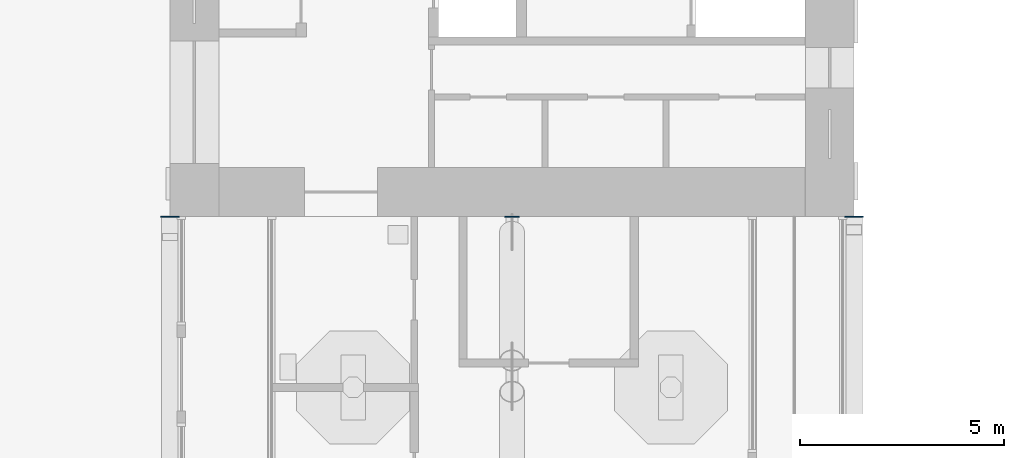
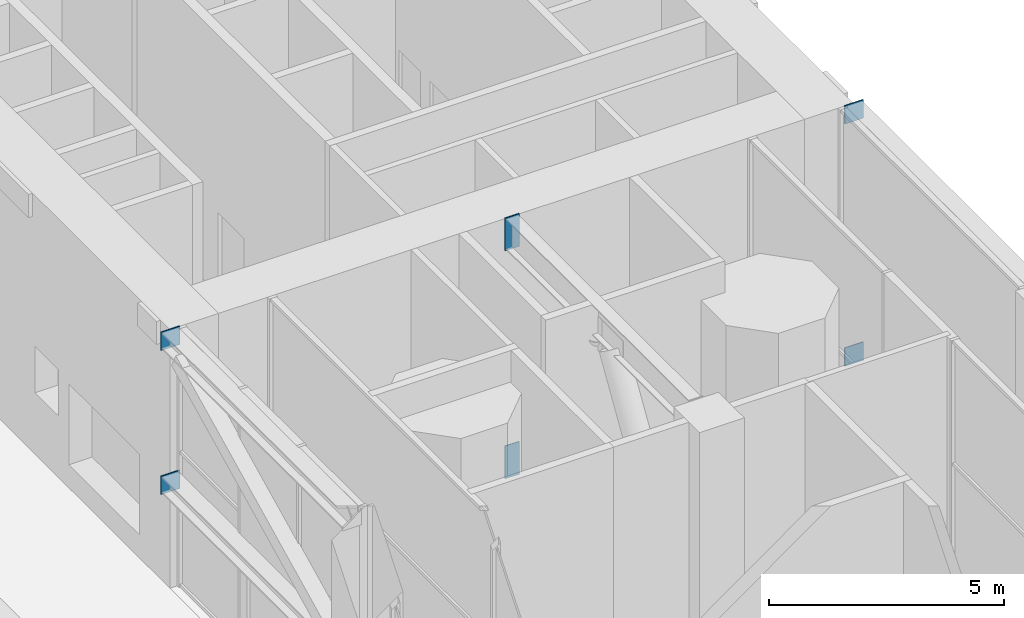
# One storey, part 16 of 22: 6 discrete accessories.
"""IFC4 building model written with IfcOpenShell, lengths in metres."""

from ifc_helpers import new_model, si_unit, direction, frame, origin, origin_2d, place, context, subcontext, project, spatial, rectangle, extrude, element, save


model = new_model("IFC4")

# Units and contexts
model_context = context("Model", 3, precision=1e-05, world=origin(), true_north=direction((0.0, 1.0)))
body_context = subcontext(model_context, "Body", "Model", "MODEL_VIEW")
ifc_project = project(units=[si_unit("LENGTHUNIT", "METRE"), si_unit("AREAUNIT", "SQUARE_METRE"), si_unit("VOLUMEUNIT", "CUBIC_METRE"), si_unit("PLANEANGLEUNIT", "RADIAN"), si_unit("MASSUNIT", "GRAM", prefix="KILO")], contexts=[model_context])

# Site, building, storey
site_placement = place(None, origin())
site = spatial("IfcSite", under=ifc_project, at=site_placement, CompositionType="ELEMENT")
building_placement = place(site_placement, origin())
building = spatial("IfcBuilding", under=site, at=building_placement, Name="Vermilion Gate Residences", CompositionType="ELEMENT")
storey_placement = place(building_placement, frame((0.0, 0.0, 140.699951171875)))
storey = spatial("IfcBuildingStorey", under=building, at=storey_placement, Name="L36", CompositionType="ELEMENT", Elevation=140.699951171875)

# Discrete accessories
for number, where, z_axis, x_axis, name in (
    (1, (8.39990234375, 41.987548828125, 2.525146484375), (0.0, 0.0, 1.0), (1.0, 0.0, 0.0), "End plate B36BELT25B 2"),
    (2, (8.39990234375, 41.987548828125, 6.26708984375), (0.0, 0.0, 1.0), (1.0, 0.0, 0.0), "End plate B36BELT25T 2"),
    (3, (25.199951171875, 41.987548828125, -0.02490234375), (0.0, 0.0, 1.0), (1.0, 0.0, 0.0), "End plate B36BELT28B 2"),
    (4, (25.199951171875, 41.987548828125, 6.26708984375), (0.0, 0.0, 1.0), (1.0, 0.0, 0.0), "End plate B36BELT28T 2"),
):
    element("IfcDiscreteAccessory", number, at=place(storey_placement, frame(where, z_axis=z_axis, x_axis=x_axis)), inside=storey, Name=name, ObjectType="END PLATE", PredefinedType="USERDEFINED", context=body_context, shape_type="SweptSolid", body=[
        extrude(rectangle(XDim=0.45703125, YDim=0.02490234375, at=origin_2d()), origin(), (0.0, 0.0, 1.0), 0.47802734375),
    ])
for number, where, z_axis, x_axis, name in (
    (5, (16.800048828125, 41.987548828125, -0.02490234375), (0.0, 0.0, 1.0), (1.0, 0.0, 0.0), "End plate O36OUT7B 1"),
    (6, (16.800048828125, 41.987548828125, 5.89501953125), (0.0, 0.0, 1.0), (1.0, 0.0, 0.0), "End plate O36OUT7T 1"),
):
    element("IfcDiscreteAccessory", number, at=place(storey_placement, frame(where, z_axis=z_axis, x_axis=x_axis)), inside=storey, Name=name, ObjectType="END PLATE", PredefinedType="USERDEFINED", context=body_context, shape_type="SweptSolid", body=[
        extrude(rectangle(XDim=0.35009765625, YDim=0.02490234375, at=origin_2d()), origin(), (0.0, 0.0, 1.0), 0.85009765625),
    ])

save(model, "model.ifc")
